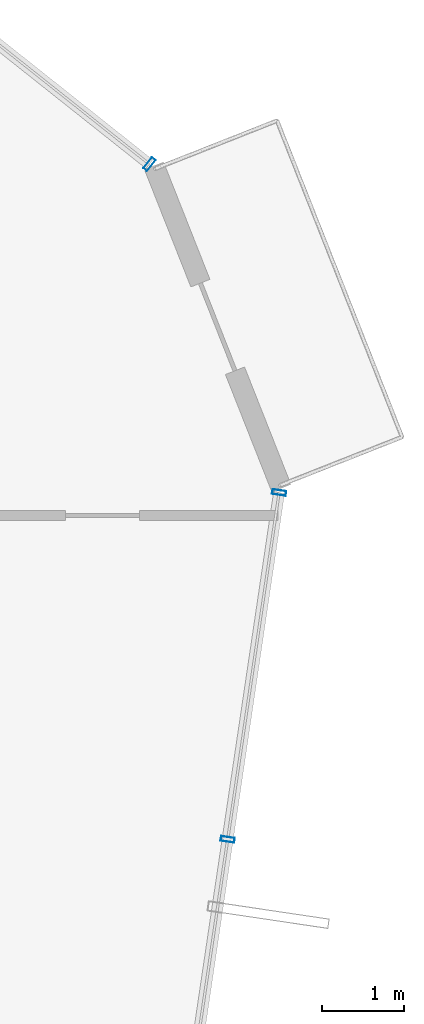
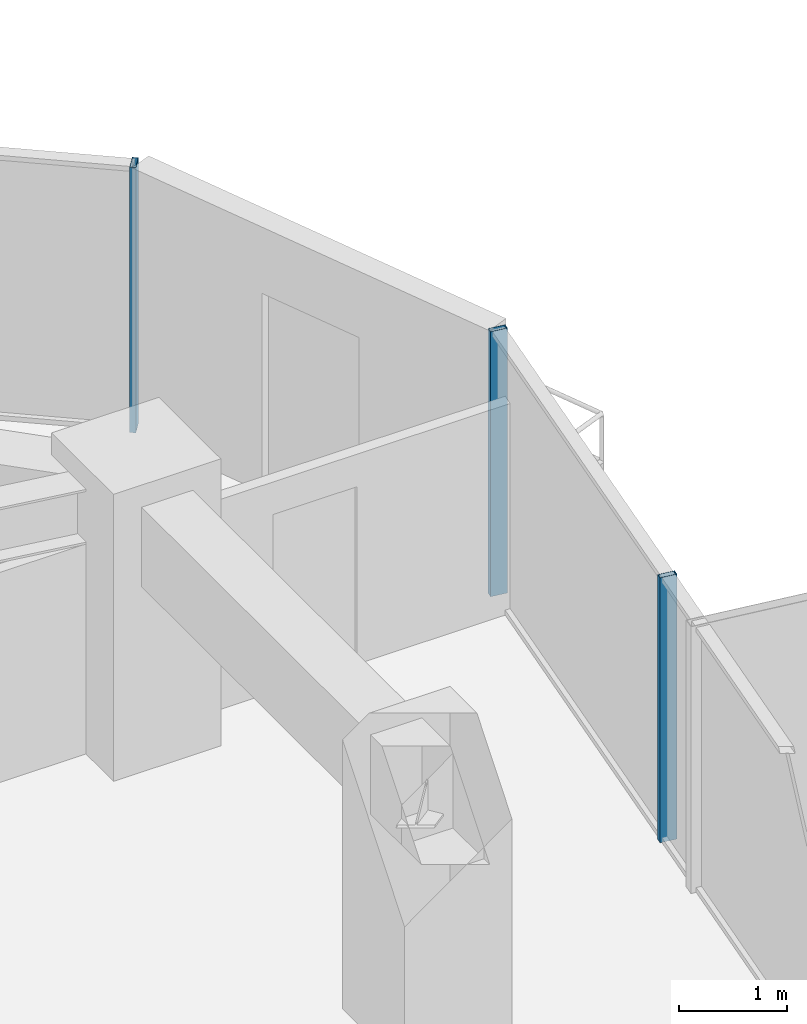
# One storey, part 17 of 29: 3 members, 2 elements without a shape of their own.
"""IFC4 building model written with IfcOpenShell, lengths in metres."""

import ifcopenshell
import ifcopenshell.guid

model = None  # the IFC model being written
_history = None  # IfcOwnerHistory: only IFC2X3 demands one
_inside = {}  # id of a spatial element -> (the spatial element, [elements in it])
_under = {}  # id of a project, library or spatial element -> (it, [spatial elements below it])
_declared = {}  # id of a project -> (the project, [libraries it declares])
_typed = {}  # id of a type object -> (the type object, [elements of that type])
_made_of = {}  # id of a material, layer set ... -> (it, [elements and type objects made of it])


def new_model(schema):
    """Start an empty IFC model of exactly this schema.

    Asked for "IFC4X3", IfcOpenShell would pick the latest addendum, in which some entities
    have other attributes; the version numbers below select the first issue.
    IFC2X3 requires an IfcOwnerHistory on every rooted entity: one is made here for all.
    """
    global model, _history
    if schema == "IFC4X3":
        model = ifcopenshell.file(schema_version=(4, 3, 0, 0))
    else:
        model = ifcopenshell.file(schema=schema)
    _inside.clear()
    _under.clear()
    _declared.clear()
    _typed.clear()
    _made_of.clear()
    _history = None
    if model.schema == "IFC2X3":
        org = make("IfcOrganization", Name="unknown")
        user = make(
            "IfcPersonAndOrganization",
            ThePerson=make("IfcPerson", FamilyName="unknown"),
            TheOrganization=org,
        )
        app = make(
            "IfcApplication",
            ApplicationDeveloper=org,
            Version="unknown",
            ApplicationFullName="unknown",
            ApplicationIdentifier="unknown",
        )
        _history = make(
            "IfcOwnerHistory",
            OwningUser=user,
            OwningApplication=app,
            ChangeAction="ADDED",
            CreationDate=0,
        )
    return model


def make(cls, **values):
    """One entity of the class cls with the attributes given. An attribute that is None is left unset."""
    return model.create_entity(
        cls, **{name: value for name, value in values.items() if value is not None}
    )


def rooted(cls, **values):
    """An entity with a GlobalId (a new one), such as an element, a storey or a relation."""
    return make(cls, GlobalId=ifcopenshell.guid.new(), OwnerHistory=_history, **values)


def si_unit(unit_type, name, prefix=None):
    """IfcSIUnit, for example si_unit("LENGTHUNIT", "METRE", prefix="MILLI")."""
    return make("IfcSIUnit", UnitType=unit_type, Prefix=prefix, Name=name)


def assignment(units):
    """IfcUnitAssignment: the units of a project."""
    return None if units is None else make("IfcUnitAssignment", Units=units)


def point(xyz):
    """IfcCartesianPoint."""
    return None if xyz is None else make("IfcCartesianPoint", Coordinates=xyz)


def direction(xyz):
    """IfcDirection."""
    return None if xyz is None else make("IfcDirection", DirectionRatios=xyz)


def frame(location, z_axis=None, x_axis=None):
    """IfcAxis2Placement3D, a coordinate frame: its origin and axes. An axis left out is left unset."""
    return make(
        "IfcAxis2Placement3D",
        Location=point(location),
        Axis=direction(z_axis),
        RefDirection=direction(x_axis),
    )


def frame_2d(location, x_axis=None):
    """IfcAxis2Placement2D, a coordinate frame in the plane: its origin and x axis."""
    return make(
        "IfcAxis2Placement2D", Location=point(location), RefDirection=direction(x_axis)
    )


def origin():
    """The frame at (0, 0, 0) with its axes left unset."""
    return frame((0.0, 0.0, 0.0))


def origin_2d():
    """The frame at (0, 0) in the plane with its x axis left unset."""
    return frame_2d((0.0, 0.0))


def place(relative_to, where):
    """IfcLocalPlacement: puts the frame where relative to a parent placement (None: the world)."""
    return make(
        "IfcLocalPlacement", PlacementRelTo=relative_to, RelativePlacement=where
    )


def context(
    kind, dimensions, precision=None, world=None, true_north=None, identifier=None
):
    """IfcGeometricRepresentationContext, for example the 3D "Model" context."""
    return make(
        "IfcGeometricRepresentationContext",
        ContextIdentifier=identifier,
        ContextType=kind,
        CoordinateSpaceDimension=dimensions,
        Precision=precision,
        WorldCoordinateSystem=world,
        TrueNorth=true_north,
    )


def subcontext(parent, identifier, kind, view, scale=None):
    """IfcGeometricRepresentationSubContext, for example "Body" below "Model"."""
    return make(
        "IfcGeometricRepresentationSubContext",
        ContextIdentifier=identifier,
        ContextType=kind,
        ParentContext=parent,
        TargetScale=scale,
        TargetView=view,
    )


def project(units=None, contexts=None):
    """IfcProject with its units and contexts."""
    return rooted(
        "IfcProject",
        Name="project",
        RepresentationContexts=contexts,
        UnitsInContext=assignment(units),
    )


def spatial(cls, under=None, at=None, **own):
    """A site, building, storey or space (cls), placed at a placement, below another one or the project."""
    s = rooted(cls, ObjectPlacement=at, **own)
    if under is not None:
        _under.setdefault(under.id(), (under, []))[1].append(s)
    return s


def profile(cls, at=None, kind="AREA", **sizes):
    """A parametric profile (cls). Its sizes go by their IFC names, for example OverallWidth=200.0."""
    return make(cls, ProfileType=kind, Position=at, **sizes)


def hollow_rectangle(**sizes):
    """IfcRectangleHollowProfileDef."""
    return profile("IfcRectangleHollowProfileDef", **sizes)


def extrude(swept, where, along, depth):
    """IfcExtrudedAreaSolid: the profile swept, set in the frame where, extruded along a direction by depth."""
    return make(
        "IfcExtrudedAreaSolid",
        SweptArea=swept,
        Position=where,
        ExtrudedDirection=direction(along),
        Depth=depth,
    )


def shape(context_of_items, identifier, shape_type, items):
    """IfcShapeRepresentation: the items that make up one representation, for example the "Body"."""
    return make(
        "IfcShapeRepresentation",
        ContextOfItems=context_of_items,
        RepresentationIdentifier=identifier,
        RepresentationType=shape_type,
        Items=items,
    )


def source(mapping_origin, context_of_items, identifier, shape_type, items):
    """IfcRepresentationMap: a shape defined once, which mapped items show again and again."""
    return make(
        "IfcRepresentationMap",
        MappingOrigin=mapping_origin,
        MappedRepresentation=shape(context_of_items, identifier, shape_type, items),
    )


def transform(
    local_origin,
    x_axis=None,
    y_axis=None,
    z_axis=None,
    scale=None,
    scale2=None,
    scale3=None,
    uniform=True,
):
    """IfcCartesianTransformationOperator3D, or its non-uniform kind. x_axis, y_axis, z_axis: its Axis1, 2, 3."""
    if uniform:
        return make(
            "IfcCartesianTransformationOperator3D",
            Axis1=direction(x_axis),
            Axis2=direction(y_axis),
            LocalOrigin=point(local_origin),
            Scale=scale,
            Axis3=direction(z_axis),
        )
    return make(
        "IfcCartesianTransformationOperator3DnonUniform",
        Axis1=direction(x_axis),
        Axis2=direction(y_axis),
        LocalOrigin=point(local_origin),
        Scale=scale,
        Axis3=direction(z_axis),
        Scale2=scale2,
        Scale3=scale3,
    )


def mapped(mapping_source, mapping_target):
    """IfcMappedItem: shows the shape of a source again, moved by a transform."""
    return make(
        "IfcMappedItem", MappingSource=mapping_source, MappingTarget=mapping_target
    )


def material(Name=None, Category=None):
    """IfcMaterial."""
    return make("IfcMaterial", Name=Name, Category=Category)


def layer(
    of_material, thickness, ventilated=None, Name=None, Category=None, Priority=None
):
    """IfcMaterialLayer: one layer of a wall or slab, of a material (None: an air gap)."""
    return make(
        "IfcMaterialLayer",
        Material=of_material,
        LayerThickness=thickness,
        IsVentilated=ventilated,
        Name=Name,
        Category=Category,
        Priority=Priority,
    )


def layer_set(layers, Name=None):
    """IfcMaterialLayerSet."""
    return make("IfcMaterialLayerSet", MaterialLayers=layers, LayerSetName=Name)


def material_profile(
    of_material, cross_section, Name=None, Category=None, Priority=None
):
    """IfcMaterialProfile: a cross section and its material."""
    return make(
        "IfcMaterialProfile",
        Name=Name,
        Material=of_material,
        Profile=cross_section,
        Priority=Priority,
        Category=Category,
    )


def profile_set(profiles, Name=None, composite=None):
    """IfcMaterialProfileSet."""
    return make(
        "IfcMaterialProfileSet",
        Name=Name,
        MaterialProfiles=profiles,
        CompositeProfile=composite,
    )


def made_of(thing, what):
    """Note that an element or type object is made of a material, layer set ...; save() writes the relation."""
    if what is not None:
        _made_of.setdefault(what.id(), (what, []))[1].append(thing)
    return thing


def type_object(cls, material=None, **own):
    """A type object (cls), such as IfcWallType, which elements share."""
    return made_of(rooted(cls, **own), material)


def element(
    cls,
    number,
    at=None,
    inside=None,
    cuts=None,
    type_object=None,
    material=None,
    context=None,
    identifier="Body",
    shape_type=None,
    held_by="IfcProductDefinitionShape",
    body=None,
    shapes=None,
    **own,
):
    """One element of the class cls, such as IfcWall. Its Tag is "e" and its number.

    at: its placement. inside: the storey or other place that contains it. cuts: it is an
    opening in that element (IfcRelVoidsElement). A single representation is given by context,
    identifier, shape_type and body (its items); several are given by shapes. held_by: the class
    of the entity that holds the representations. save() writes the other relations.
    """
    e = rooted(cls, Tag="e%d" % number, ObjectPlacement=at, **own)
    if body is not None:
        shapes = [shape(context, identifier, shape_type, body)]
    if shapes is not None:
        e.Representation = make(held_by, Representations=shapes)
    if inside is not None:
        _inside.setdefault(inside.id(), (inside, []))[1].append(e)
    if cuts is not None:
        rooted(
            "IfcRelVoidsElement", RelatingBuildingElement=cuts, RelatedOpeningElement=e
        )
    if type_object is not None:
        _typed.setdefault(type_object.id(), (type_object, []))[1].append(e)
    return made_of(e, material)


def aggregate(whole, parts):
    """IfcRelAggregates: a whole, such as a stair, and the parts it consists of."""
    return rooted("IfcRelAggregates", RelatingObject=whole, RelatedObjects=parts)


def save(model, path):
    """Write the relations noted so far, then the file.

    IfcRelAggregates (storeys below a building ...), IfcRelContainedInSpatialStructure (elements
    in a storey), IfcRelDefinesByType, IfcRelAssociatesMaterial and IfcRelDeclares: one each for
    every whole, place, type object, material and project.
    """
    for whole, parts in _under.values():
        aggregate(whole, parts)
    for where, things in _inside.values():
        rooted(
            "IfcRelContainedInSpatialStructure",
            RelatedElements=things,
            RelatingStructure=where,
        )
    for kind, things in _typed.values():
        rooted("IfcRelDefinesByType", RelatedObjects=things, RelatingType=kind)
    for what, things in _made_of.values():
        rooted("IfcRelAssociatesMaterial", RelatedObjects=things, RelatingMaterial=what)
    for by, libraries in _declared.values():
        rooted("IfcRelDeclares", RelatingContext=by, RelatedDefinitions=libraries)
    model.write(path)


model = new_model("IFC4")

# Units and contexts
model_context = context("Model", 3, precision=1e-05, world=origin(), true_north=direction((0.0, 1.0)))
body_context = subcontext(model_context, "Body", "Model", "MODEL_VIEW")
ifc_project = project(units=[si_unit("LENGTHUNIT", "METRE"), si_unit("AREAUNIT", "SQUARE_METRE"), si_unit("VOLUMEUNIT", "CUBIC_METRE"), si_unit("PLANEANGLEUNIT", "RADIAN"), si_unit("MASSUNIT", "GRAM", prefix="KILO")], contexts=[model_context])

# Site, building, storey
site_placement = place(None, origin())
site = spatial("IfcSite", under=ifc_project, at=site_placement, CompositionType="ELEMENT")
building_placement = place(site_placement, origin())
building = spatial("IfcBuilding", under=site, at=building_placement, Name="Veraguas Prism Commons", CompositionType="ELEMENT")
storey_placement = place(building_placement, frame((0.0, 0.0, 99.199951171875)))
storey = spatial("IfcBuildingStorey", under=building, at=storey_placement, Name="L27", CompositionType="ELEMENT", Elevation=99.199951171875)

# Curtain wall, member
ifc_material = material(Name="Anodised aluminium EN AW-6063 T6", Category="aluminium")
ifc_layer = layer(ifc_material, 0.169921875, Name="Unitised Flush Curtain Wall Zone 2", Category="aluminium")
ifc_layer_set = layer_set([ifc_layer], Name="Anodised aluminium EN AW-6063 T6")
curtain_wall_type = type_object("IfcCurtainWallType", Name="Unitised Flush Curtain Wall Zone 2", PredefinedType="NOTDEFINED", material=ifc_layer_set)
curtain_wall_1_placement = place(storey_placement, origin())
curtain_wall_1 = element("IfcCurtainWall", 1, at=curtain_wall_1_placement, inside=storey, type_object=curtain_wall_type, Name="Tower Facade Curtain Wall L27-F1", PredefinedType="NOTDEFINED")
ifc_material_profile = material_profile(ifc_material, hollow_rectangle(XDim=0.06005859375, YDim=0.169921875, WallThickness=0.00390625, at=origin_2d()), Name="AL60X170X4")
ifc_profile_set = profile_set([ifc_material_profile], Name="Anodised aluminium EN AW-6063 T6")
member_type = type_object("IfcMemberType", Name="Curtain Wall Mullion Lower AL 60x170x4", PredefinedType="MULLION", material=ifc_profile_set)
shared_shape = source(origin(), body_context, "Body", "SweptSolid", [
    extrude(hollow_rectangle(XDim=0.06005859375, YDim=0.169921875, WallThickness=0.00390625, at=origin_2d()), origin(), (0.0, 0.0, 1.0), 3.0),
])
member_1_placement = place(storey_placement, frame((42.651611328125, 33.686279296875, 0.0), z_axis=(0.0, 0.0, 1.0), x_axis=(-0.783260708484, 0.621693383063, 0.0)))
member_1 = element("IfcMember", 2, at=member_1_placement, type_object=member_type, Name="CW-Z2 Mullion 1", PredefinedType="MULLION", context=body_context, shape_type="MappedRepresentation", body=[
    mapped(shared_shape, transform((0.0, 0.0, 0.0), scale=1.0)),
])
aggregate(curtain_wall_1, [member_1])

# Curtain wall, members
curtain_wall_2_placement = place(storey_placement, origin())
curtain_wall_2 = element("IfcCurtainWall", 3, at=curtain_wall_2_placement, inside=storey, type_object=curtain_wall_type, Name="Tower Facade Curtain Wall L27-F6", PredefinedType="NOTDEFINED")
member_2_placement = place(storey_placement, frame((43.607177734375, 25.4462890625, 0.0), z_axis=(0.0, 0.0, 1.0), x_axis=(0.146777088137, 0.989169594356, 0.0)))
member_2 = element("IfcMember", 4, at=member_2_placement, type_object=member_type, Name="CW-Z2 Mullion 4", PredefinedType="MULLION", context=body_context, shape_type="MappedRepresentation", body=[
    mapped(shared_shape, transform((0.0, 0.0, 0.0), scale=1.0)),
])
member_3_placement = place(storey_placement, frame((44.235107421875, 29.6787109375, 0.0), z_axis=(0.0, 0.0, 1.0), x_axis=(0.146777088137, 0.989169594356, 0.0)))
member_3 = element("IfcMember", 5, at=member_3_placement, type_object=member_type, Name="CW-Z2 Mullion 5", PredefinedType="MULLION", context=body_context, shape_type="MappedRepresentation", body=[
    mapped(shared_shape, transform((0.0, 0.0, 0.0), scale=1.0)),
])
aggregate(curtain_wall_2, [member_2, member_3])

save(model, "model.ifc")
